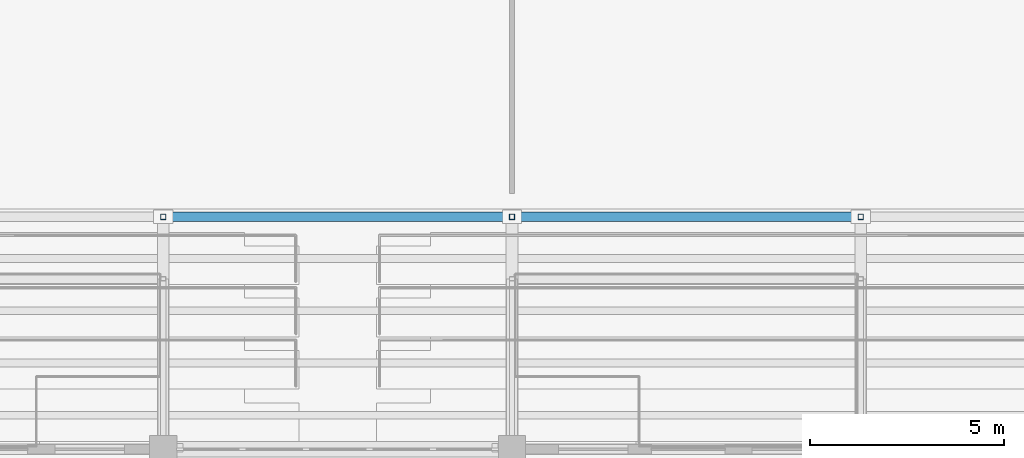
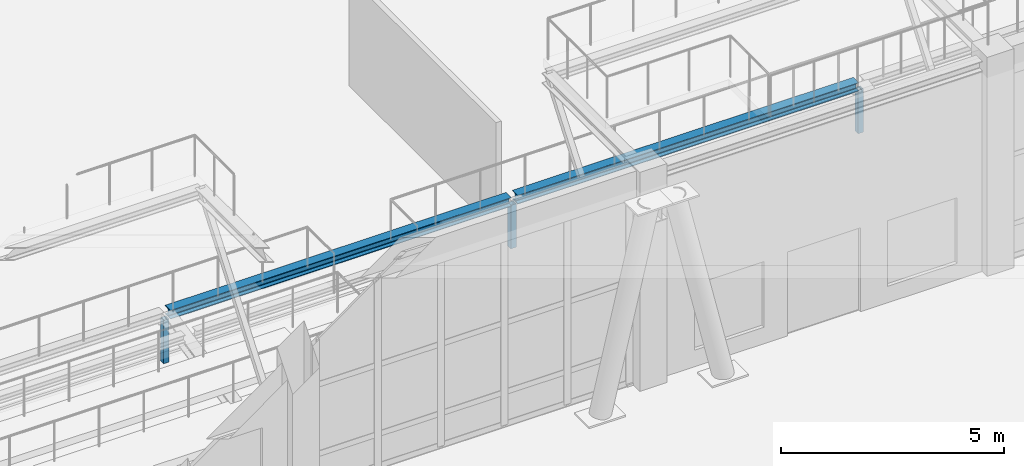
# One storey, part 38 of 110: 3 members, 2 beams.
"""IFC4 building model written with IfcOpenShell, lengths in metres."""

from ifc_helpers import new_model, si_unit, direction, frame, origin, origin_2d, place, context, subcontext, project, spatial, hollow_rectangle, i_section, extrude, material, material_profile, profile_set, type_object, element, save


model = new_model("IFC4")

# Units and contexts
model_context = context("Model", 3, precision=1e-05, world=origin(), true_north=direction((0.0, 1.0)))
body_context = subcontext(model_context, "Body", "Model", "MODEL_VIEW")
ifc_project = project(units=[si_unit("LENGTHUNIT", "METRE"), si_unit("AREAUNIT", "SQUARE_METRE"), si_unit("VOLUMEUNIT", "CUBIC_METRE"), si_unit("PLANEANGLEUNIT", "RADIAN"), si_unit("MASSUNIT", "GRAM", prefix="KILO")], contexts=[model_context])

# Site, building, storey
site_placement = place(None, origin())
site = spatial("IfcSite", under=ifc_project, at=site_placement, CompositionType="ELEMENT")
building_placement = place(site_placement, origin())
building = spatial("IfcBuilding", under=site, at=building_placement, Name="Tizgana Railside Sports Hall", CompositionType="ELEMENT")
storey_placement = place(building_placement, origin())
storey = spatial("IfcBuildingStorey", under=building, at=storey_placement, Name="L00", CompositionType="ELEMENT", Elevation=0.0)

# Beams
ifc_material = material(Name="Steel S355J2", Category="steel")
ifc_material_profile_1 = material_profile(ifc_material, i_section(OverallWidth=0.239990234375, OverallDepth=0.239990234375, WebThickness=0.010009765625, FlangeThickness=0.01708984375, FilletRadius=0.02099609375, at=origin_2d()), Name="HEB 240")
ifc_profile_set_1 = profile_set([ifc_material_profile_1], Name="Steel S355J2")
beam_type = type_object("IfcBeamType", Name="Steel Beam HEB 240", PredefinedType="BEAM", material=ifc_profile_set_1)
for number, where, z_axis, x_axis, name in (
    (1, (97.8798828125, 46.800048828125, 1.320068359375), (1.0, 0.0, 0.0), (0.0, 1.0, 0.0), "L00 Stand Rear Header SHB-0008"),
    (2, (106.8798828125, 46.800048828125, 1.320068359375), (1.0, 0.0, 0.0), (0.0, 1.0, 0.0), "L00 Stand Rear Header SHB-0009"),
):
    element("IfcBeam", number, at=place(storey_placement, frame(where, z_axis=z_axis, x_axis=x_axis)), inside=storey, type_object=beam_type, Name=name, PredefinedType="BEAM", context=body_context, shape_type="SweptSolid", body=[
        extrude(i_section(OverallWidth=0.239990234375, OverallDepth=0.239990234375, WebThickness=0.010009765625, FlangeThickness=0.01708984375, FilletRadius=0.02099609375, at=origin_2d()), origin(), (0.0, 0.0, 1.0), 8.840087890625),
    ])

# Members
ifc_material_profile_2 = material_profile(ifc_material, hollow_rectangle(XDim=0.139892578125, YDim=0.139892578125, WallThickness=0.008056640625, at=origin_2d()), Name="SHS 140x140x8")
ifc_profile_set_2 = profile_set([ifc_material_profile_2], Name="Steel S355J2")
member_type = type_object("IfcMemberType", Name="Steel Brace SHS 140x140x8", PredefinedType="BRACE", material=ifc_profile_set_2)
for number, where, z_axis, x_axis, name in (
    (3, (97.800048828125, 46.800048828125, 0.0), (0.0, 0.0, 1.0), (1.0, 0.0, 0.0), "L00 Stand Strut"),
    (4, (106.800048828125, 46.800048828125, 0.0), (0.0, 0.0, 1.0), (1.0, 0.0, 0.0), "L00 Stand Strut"),
    (5, (115.800048828125, 46.800048828125, 0.0), (0.0, 0.0, 1.0), (1.0, 0.0, 0.0), "L00 Stand Strut"),
):
    element("IfcMember", number, at=place(storey_placement, frame(where, z_axis=z_axis, x_axis=x_axis)), inside=storey, type_object=member_type, Name=name, PredefinedType="BRACE", context=body_context, shape_type="SweptSolid", body=[
        extrude(hollow_rectangle(XDim=0.139892578125, YDim=0.139892578125, WallThickness=0.008056640625, at=origin_2d()), origin(), (0.0, 0.0, 1.0), 1.18994140625),
    ])

save(model, "model.ifc")
